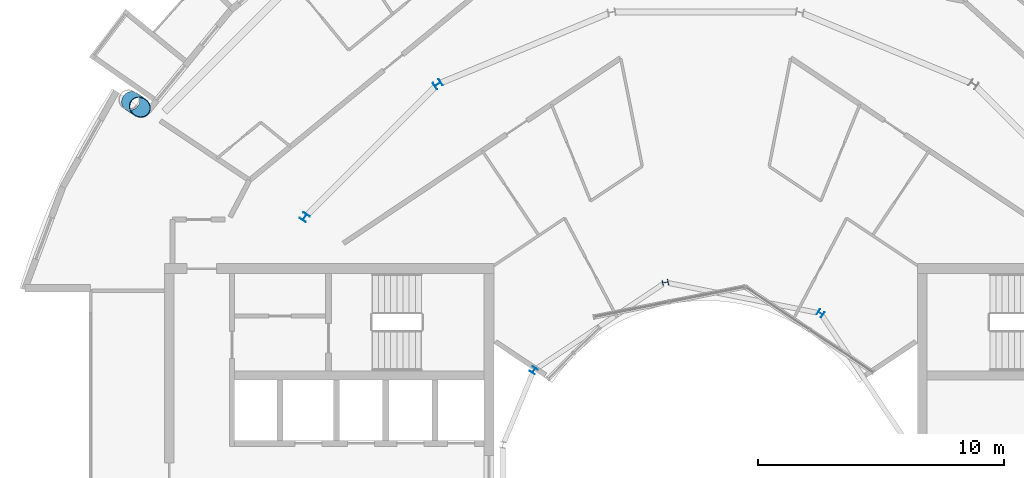
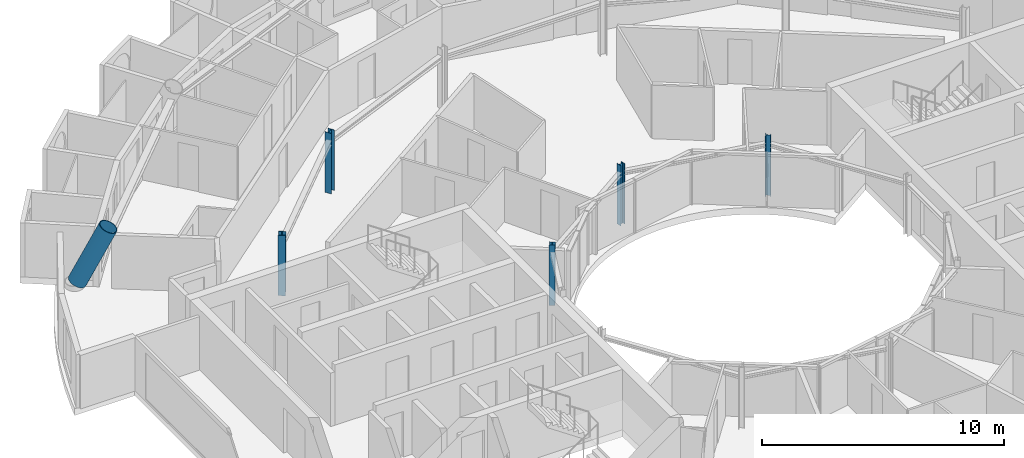
# One storey, part 4 of 28: 6 columns.
"""IFC4 building model written with IfcOpenShell, lengths in metres."""

from ifc_helpers import new_model, si_unit, direction, frame, origin, origin_2d, place, context, subcontext, project, spatial, hollow_circle, i_section, extrude, material, material_profile, profile_set, type_object, element, save


model = new_model("IFC4")

# Units and contexts
model_context = context("Model", 3, precision=1e-05, world=origin(), true_north=direction((0.0, 1.0)))
body_context = subcontext(model_context, "Body", "Model", "MODEL_VIEW")
ifc_project = project(units=[si_unit("LENGTHUNIT", "METRE"), si_unit("AREAUNIT", "SQUARE_METRE"), si_unit("VOLUMEUNIT", "CUBIC_METRE"), si_unit("PLANEANGLEUNIT", "RADIAN"), si_unit("MASSUNIT", "GRAM", prefix="KILO")], contexts=[model_context])

# Site, building, storey
site_placement = place(None, origin())
site = spatial("IfcSite", under=ifc_project, at=site_placement, CompositionType="ELEMENT")
building_placement = place(site_placement, origin())
building = spatial("IfcBuilding", under=site, at=building_placement, Name="Maasbend Ring Residences", CompositionType="ELEMENT")
storey_placement = place(building_placement, frame((0.0, 0.0, 231.0)))
storey = spatial("IfcBuildingStorey", under=building, at=storey_placement, Name="L66", CompositionType="ELEMENT", Elevation=231.0)

# Columns
ifc_material_1 = material(Name="Composite concrete-filled steel tube S460NH / C80/95", Category="concrete")
ifc_material_profile_1 = material_profile(ifc_material_1, hollow_circle(Radius=0.406494140625, WallThickness=0.030029296875, at=origin_2d()), Name="Composite tube column CHS 813x30")
ifc_profile_set_1 = profile_set([ifc_material_profile_1], Name="Composite concrete-filled steel tube S460NH / C80/95")
column_type_1 = type_object("IfcColumnType", Name="Composite tube column CHS 813x30", PredefinedType="COLUMN", material=ifc_profile_set_1)
column_placement = place(storey_placement, frame((-23.35498046875, 15.60546875, 0.24169921875), z_axis=(0.34678068763, -0.231740204333, 0.908867224837), x_axis=(0.555617898073, 0.831437761556, 0.0)))
element("IfcColumn", 1, at=column_placement, inside=storey, type_object=column_type_1, Name="Outer column R7", PredefinedType="COLUMN", context=body_context, shape_type="SweptSolid", body=[
    extrude(hollow_circle(Radius=0.406494140625, WallThickness=0.030029296875, at=origin_2d()), origin(), (0.0, 0.0, 1.0), 3.08984375),
])
ifc_material_2 = material(Name="Steel S355J2", Category="steel")
ifc_material_profile_2 = material_profile(ifc_material_2, i_section(OverallWidth=0.239990234375, OverallDepth=0.22998046875, WebThickness=0.007568359375, FlangeThickness=0.011962890625, FilletRadius=0.02099609375, at=origin_2d()), Name="HEA 240")
ifc_profile_set_2 = profile_set([ifc_material_profile_2], Name="Steel S355J2")
column_type_2 = type_object("IfcColumnType", Name="Steel column HEA 240", PredefinedType="COLUMN", material=ifc_profile_set_2)
for number, where, z_axis, x_axis, name in (
    (2, (4.666748046875, 6.984375, 0.0), (0.0, 0.0, 1.0), (0.55557023302, 0.831469612303, 0.0), "Well ring column R3"),
    (3, (-1.638916015625, 8.238525390625, 0.0), (0.0, 0.0, 1.0), (-0.195090322016, 0.980785280403, 0.0), "Well ring column R5"),
    (4, (-6.984375, 4.666748046875, 0.0), (0.0, 0.0, 1.0), (-0.831469612303, 0.55557023302, 0.0), "Well ring column R7"),
):
    element("IfcColumn", number, at=place(storey_placement, frame(where, z_axis=z_axis, x_axis=x_axis)), inside=storey, type_object=column_type_2, Name=name, PredefinedType="COLUMN", context=body_context, shape_type="SweptSolid", body=[
        extrude(i_section(OverallWidth=0.239990234375, OverallDepth=0.22998046875, WebThickness=0.007568359375, FlangeThickness=0.011962890625, FilletRadius=0.02099609375, at=origin_2d()), origin(), (0.0, 0.0, 1.0), 3.050048828125),
    ])
ifc_material_3 = material(Name="Steel S355J2", Category="steel")
ifc_material_profile_3 = material_profile(ifc_material_3, i_section(OverallWidth=0.300048828125, OverallDepth=0.300048828125, WebThickness=0.010986328125, FlangeThickness=0.01904296875, FilletRadius=0.027099609375, at=origin_2d()), Name="HEB 300")
ifc_profile_set_3 = profile_set([ifc_material_profile_3], Name="Steel S355J2")
column_type_3 = type_object("IfcColumnType", Name="Steel column HEB 300", PredefinedType="COLUMN", material=ifc_profile_set_3)
for number, where, z_axis, x_axis, name in (
    (5, (-10.88916015625, 16.296875, 0.0), (0.0, 0.0, 1.0), (-0.55557023302, 0.831469612303, 0.0), "Corridor ring column R6"),
    (6, (-16.296875, 10.88916015625, 0.0), (0.0, 0.0, 1.0), (-0.831469612303, 0.55557023302, 0.0), "Corridor ring column R7"),
):
    element("IfcColumn", number, at=place(storey_placement, frame(where, z_axis=z_axis, x_axis=x_axis)), inside=storey, type_object=column_type_3, Name=name, PredefinedType="COLUMN", context=body_context, shape_type="SweptSolid", body=[
        extrude(i_section(OverallWidth=0.300048828125, OverallDepth=0.300048828125, WebThickness=0.010986328125, FlangeThickness=0.01904296875, FilletRadius=0.027099609375, at=origin_2d()), origin(), (0.0, 0.0, 1.0), 3.050048828125),
    ])

save(model, "model.ifc")
